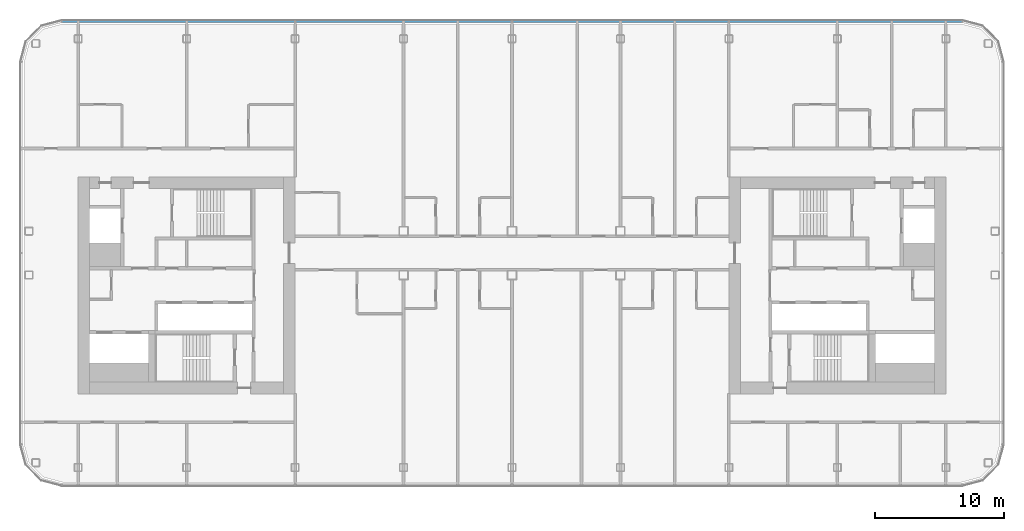
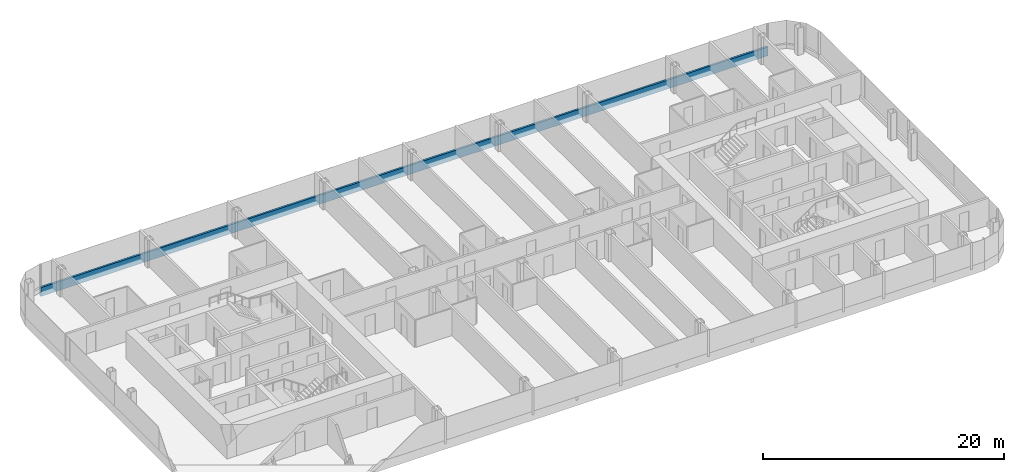
# One storey, part 8 of 26: 1 member, 1 element without a shape of its own.
"""IFC4 building model written with IfcOpenShell, lengths in metres."""

from ifc_helpers import new_model, si_unit, direction, frame, origin, origin_2d, place, context, subcontext, project, spatial, rectangle, extrude, material, layer, layer_set, material_profile, profile_set, type_object, element, aggregate, save


model = new_model("IFC4")

# Units and contexts
model_context = context("Model", 3, precision=1e-05, world=origin(), true_north=direction((0.0, 1.0)))
body_context = subcontext(model_context, "Body", "Model", "MODEL_VIEW")
ifc_project = project(units=[si_unit("LENGTHUNIT", "METRE"), si_unit("AREAUNIT", "SQUARE_METRE"), si_unit("VOLUMEUNIT", "CUBIC_METRE"), si_unit("PLANEANGLEUNIT", "RADIAN"), si_unit("MASSUNIT", "GRAM", prefix="KILO")], contexts=[model_context])

# Site, building, storey
site_placement = place(None, origin())
site = spatial("IfcSite", under=ifc_project, at=site_placement, CompositionType="ELEMENT")
building_placement = place(site_placement, origin())
building = spatial("IfcBuilding", under=site, at=building_placement, Name="Hakoniwa Tower and Hamabe Station Hall", CompositionType="ELEMENT")
storey_placement = place(building_placement, frame((0.0, 0.0, 209.0)))
storey = spatial("IfcBuildingStorey", under=building, at=storey_placement, Name="L59", CompositionType="ELEMENT", Elevation=209.0)

# Curtain wall, member
ifc_material_1 = material(Name="Dark low-e laminated glass", Category="glass")
ifc_layer = layer(ifc_material_1, 0.199951171875)
ifc_layer_set = layer_set([ifc_layer], Name="CW-1 UNITISED GUEST")
curtain_wall_type = type_object("IfcCurtainWallType", Name="CW-1 UNITISED GUEST", PredefinedType="NOTDEFINED", material=ifc_layer_set)
curtain_wall_placement = place(storey_placement, origin())
curtain_wall = element("IfcCurtainWall", 1, at=curtain_wall_placement, inside=storey, type_object=curtain_wall_type, Name="CW-1 curtain wall", PredefinedType="NOTDEFINED")
ifc_material_2 = material(Name="Aluminium 6063-T5 black anodised", Category="aluminium")
ifc_material_profile = material_profile(ifc_material_2, rectangle(XDim=0.199951171875, YDim=0.89990234375, at=origin_2d()), Name="CW SLAB-EDGE BAND 900X200")
ifc_profile_set = profile_set([ifc_material_profile], Name="Aluminium 6063-T5 black anodised")
member_type = type_object("IfcMemberType", Name="CW SLAB-EDGE BAND 900X200", PredefinedType="USERDEFINED", material=ifc_profile_set)
member_placement = place(storey_placement, frame((34.839599609375, 20.449951171875, -0.10009765625), z_axis=(-1.0, 0.0, 0.0), x_axis=(0.0, -1.0, 0.0)))
member = element("IfcMember", 2, at=member_placement, type_object=member_type, Name="CW-1 transom", ObjectType="TRANSOM", PredefinedType="USERDEFINED", context=body_context, shape_type="SweptSolid", body=[
    extrude(rectangle(XDim=0.199951171875, YDim=0.89990234375, at=origin_2d()), origin(), (0.0, 0.0, 1.0), 69.67919921875),
])
aggregate(curtain_wall, [member])

save(model, "model.ifc")
